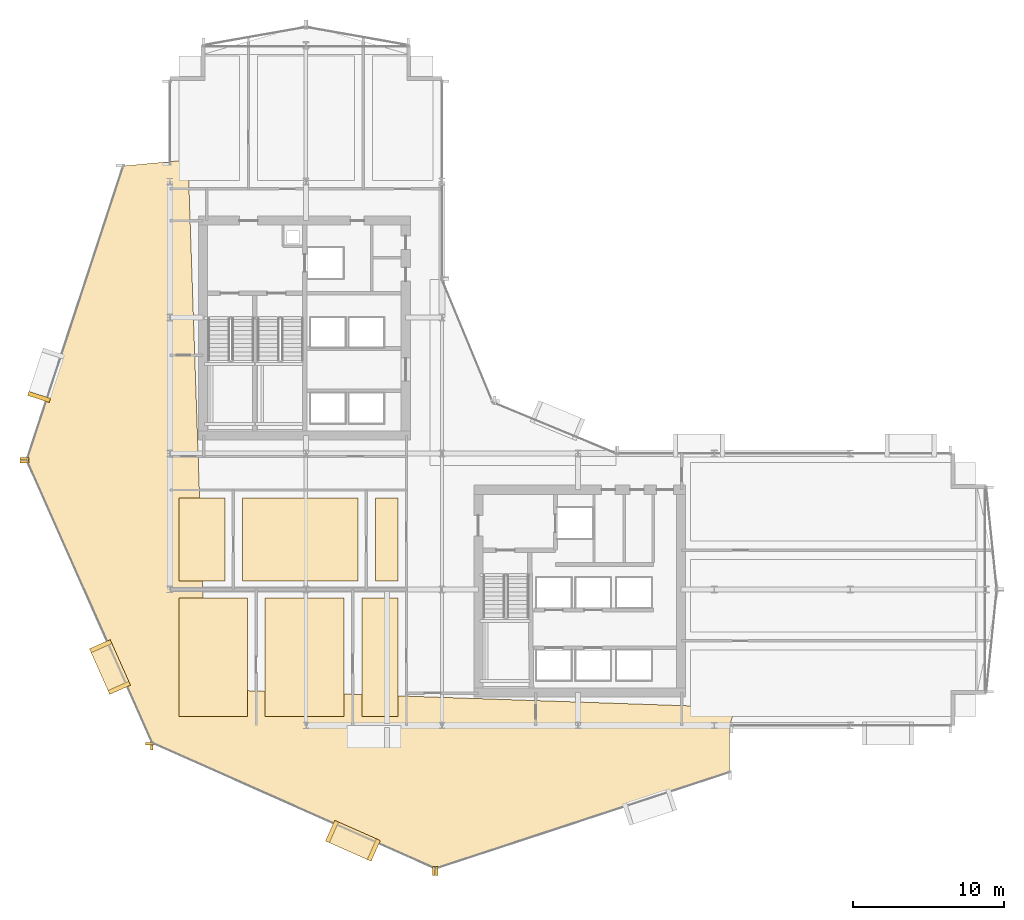
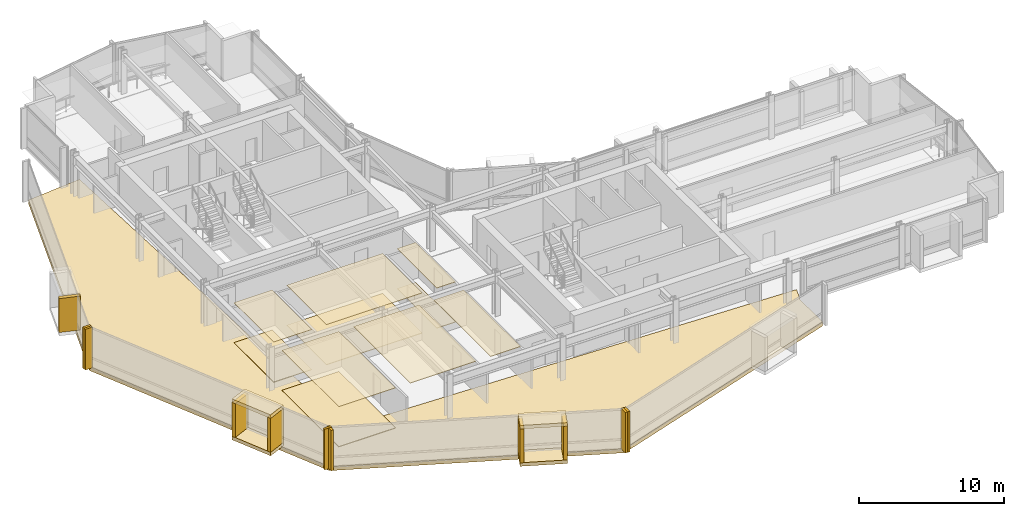
# One storey, part 30 of 34: 26 coverings.
"""IFC4 building model written with IfcOpenShell, lengths in metres."""

from ifc_helpers import new_model, si_unit, direction, frame, origin, origin_2d, place, context, subcontext, project, spatial, polyline, rectangle, outline, extrude, material, layer, layer_set, type_object, element, save


model = new_model("IFC4")

# Units and contexts
model_context = context("Model", 3, precision=1e-05, world=origin(), true_north=direction((0.0, 1.0)))
body_context = subcontext(model_context, "Body", "Model", "MODEL_VIEW")
ifc_project = project(units=[si_unit("LENGTHUNIT", "METRE"), si_unit("AREAUNIT", "SQUARE_METRE"), si_unit("VOLUMEUNIT", "CUBIC_METRE"), si_unit("PLANEANGLEUNIT", "RADIAN"), si_unit("MASSUNIT", "GRAM", prefix="KILO")], contexts=[model_context])

# Site, building, storey
site_placement = place(None, origin())
site = spatial("IfcSite", under=ifc_project, at=site_placement, CompositionType="ELEMENT")
building_placement = place(site_placement, origin())
building = spatial("IfcBuilding", under=site, at=building_placement, Name="Solvaryn Broadcast Tower", CompositionType="ELEMENT")
storey_placement = place(building_placement, frame((0.0, 0.0, 76.699951171875)))
storey = spatial("IfcBuildingStorey", under=building, at=storey_placement, Name="L18", CompositionType="ELEMENT", Elevation=76.699951171875)

# Coverings
ifc_material_1 = material(Name="Micro-Perforated Acoustic Gypsum Ceiling", Category="concrete")
ifc_layer_1 = layer(ifc_material_1, 0.0400390625)
ifc_layer_set_1 = layer_set([ifc_layer_1], Name="CV-CEIL-ACOUSTIC")
covering_type_1 = type_object("IfcCoveringType", Name="CV-CEIL-ACOUSTIC", PredefinedType="CEILING", material=ifc_layer_set_1)
covering_1_placement = place(storey_placement, frame((0.0, 0.0, 3.380126953125)))
element("IfcCovering", 1, at=covering_1_placement, inside=storey, type_object=covering_type_1, Name="L18 Room Acoustic Ceiling 1", PredefinedType="CEILING", context=body_context, shape_type="SweptSolid", body=[
    extrude(outline(polyline([(9.60009765625, 18.570068359375), (12.6298828125, 18.570068359375), (12.6298828125, 24.050048828125), (9.60009765625, 24.050048828125), (9.60009765625, 18.570068359375)])), origin(), (0.0, 0.0, 1.0), 0.0400390625),
])
covering_2_placement = place(storey_placement, frame((0.0, 0.0, 3.380126953125)))
element("IfcCovering", 2, at=covering_2_placement, inside=storey, type_object=covering_type_1, Name="L18 Room Acoustic Ceiling 2", PredefinedType="CEILING", context=body_context, shape_type="SweptSolid", body=[
    extrude(outline(polyline([(13.800048828125, 18.570068359375), (21.429931640625, 18.570068359375), (21.429931640625, 24.050048828125), (13.800048828125, 24.050048828125), (13.800048828125, 18.570068359375)])), origin(), (0.0, 0.0, 1.0), 0.0400390625),
])
covering_3_placement = place(storey_placement, frame((0.0, 0.0, 3.380126953125)))
element("IfcCovering", 3, at=covering_3_placement, inside=storey, type_object=covering_type_1, Name="L18 Room Acoustic Ceiling 3", PredefinedType="CEILING", context=body_context, shape_type="SweptSolid", body=[
    extrude(outline(polyline([(22.60009765625, 18.570068359375), (24.080078125, 18.570068359375), (24.080078125, 24.050048828125), (22.60009765625, 24.050048828125), (22.60009765625, 18.570068359375)])), origin(), (0.0, 0.0, 1.0), 0.0400390625),
])
covering_4_placement = place(storey_placement, frame((0.0, 0.0, 3.380126953125)))
element("IfcCovering", 4, at=covering_4_placement, inside=storey, type_object=covering_type_1, Name="L18 Room Acoustic Ceiling 4", PredefinedType="CEILING", context=body_context, shape_type="SweptSolid", body=[
    extrude(outline(polyline([(9.60009765625, 9.60009765625), (14.1298828125, 9.60009765625), (14.1298828125, 17.429931640625), (9.60009765625, 17.429931640625), (9.60009765625, 9.60009765625)])), origin(), (0.0, 0.0, 1.0), 0.0400390625),
])
covering_5_placement = place(storey_placement, frame((0.0, 0.0, 3.380126953125)))
element("IfcCovering", 5, at=covering_5_placement, inside=storey, type_object=covering_type_1, Name="L18 Room Acoustic Ceiling 5", PredefinedType="CEILING", context=body_context, shape_type="SweptSolid", body=[
    extrude(outline(polyline([(15.300048828125, 9.60009765625), (20.530029296875, 9.60009765625), (20.530029296875, 17.429931640625), (15.300048828125, 17.429931640625), (15.300048828125, 9.60009765625)])), origin(), (0.0, 0.0, 1.0), 0.0400390625),
])
covering_6_placement = place(storey_placement, frame((0.0, 0.0, 3.380126953125)))
element("IfcCovering", 6, at=covering_6_placement, inside=storey, type_object=covering_type_1, Name="L18 Room Acoustic Ceiling 6", PredefinedType="CEILING", context=body_context, shape_type="SweptSolid", body=[
    extrude(outline(polyline([(21.699951171875, 9.60009765625), (24.080078125, 9.60009765625), (24.080078125, 17.429931640625), (21.699951171875, 17.429931640625), (21.699951171875, 9.60009765625)])), origin(), (0.0, 0.0, 1.0), 0.0400390625),
])
ifc_material_2 = material(Name="Newsroom Raised Data Access Flooring", Category="steel")
ifc_layer_2 = layer(ifc_material_2, 0.050048828125)
ifc_layer_set_2 = layer_set([ifc_layer_2], Name="CV-FLOOR-RAISED")
covering_type_2 = type_object("IfcCoveringType", Name="CV-FLOOR-RAISED", PredefinedType="FLOORING", material=ifc_layer_set_2)
covering_7_placement = place(storey_placement, origin())
element("IfcCovering", 7, at=covering_7_placement, inside=storey, type_object=covering_type_2, Name="L18 Room Acoustic Floor Finish 1", PredefinedType="FLOORING", context=body_context, shape_type="SweptSolid", body=[
    extrude(outline(polyline([(9.60009765625, 18.570068359375), (12.6298828125, 18.570068359375), (12.6298828125, 24.050048828125), (9.60009765625, 24.050048828125), (9.60009765625, 18.570068359375)])), origin(), (0.0, 0.0, 1.0), 0.050048828125),
])
covering_8_placement = place(storey_placement, origin())
element("IfcCovering", 8, at=covering_8_placement, inside=storey, type_object=covering_type_2, Name="L18 Room Acoustic Floor Finish 2", PredefinedType="FLOORING", context=body_context, shape_type="SweptSolid", body=[
    extrude(outline(polyline([(13.800048828125, 18.570068359375), (21.429931640625, 18.570068359375), (21.429931640625, 24.050048828125), (13.800048828125, 24.050048828125), (13.800048828125, 18.570068359375)])), origin(), (0.0, 0.0, 1.0), 0.050048828125),
])
covering_9_placement = place(storey_placement, origin())
element("IfcCovering", 9, at=covering_9_placement, inside=storey, type_object=covering_type_2, Name="L18 Room Acoustic Floor Finish 3", PredefinedType="FLOORING", context=body_context, shape_type="SweptSolid", body=[
    extrude(outline(polyline([(22.60009765625, 18.570068359375), (24.080078125, 18.570068359375), (24.080078125, 24.050048828125), (22.60009765625, 24.050048828125), (22.60009765625, 18.570068359375)])), origin(), (0.0, 0.0, 1.0), 0.050048828125),
])
covering_10_placement = place(storey_placement, origin())
element("IfcCovering", 10, at=covering_10_placement, inside=storey, type_object=covering_type_2, Name="L18 Room Acoustic Floor Finish 4", PredefinedType="FLOORING", context=body_context, shape_type="SweptSolid", body=[
    extrude(outline(polyline([(9.60009765625, 9.60009765625), (14.1298828125, 9.60009765625), (14.1298828125, 17.429931640625), (9.60009765625, 17.429931640625), (9.60009765625, 9.60009765625)])), origin(), (0.0, 0.0, 1.0), 0.050048828125),
])
ifc_material_3 = material(Name="Glazed Architectural Terracotta Rainscreen Cladding", Category="masonry")
ifc_layer_3 = layer(ifc_material_3, 0.280029296875)
ifc_layer_set_3 = layer_set([ifc_layer_3], Name="CV-TC-CLAD")
covering_type_3 = type_object("IfcCoveringType", Name="CV-TC-CLAD", PredefinedType="CLADDING", material=ifc_layer_set_3)
covering_11_placement = place(storey_placement, frame((0.348388671875, 30.73828125, 0.27978515625), z_axis=(0.0, 0.0, 1.0), x_axis=(-0.311671636848, -0.950189870912, 0.0)))
element("IfcCovering", 11, at=covering_11_placement, inside=storey, type_object=covering_type_3, Name="L18 Projecting Stone Window Box Cheek 1-2", PredefinedType="CLADDING", context=body_context, shape_type="SweptSolid", body=[
    extrude(rectangle(XDim=0.280029296875, YDim=1.5, at=origin_2d()), origin(), (0.0, 0.0, 1.0), 2.860107421875),
])
for number, where, z_axis, x_axis, name in (
    (12, (5.035888671875, 12.8720703125, 3.1298828125), (0.0, 0.0, 1.0), (0.405939269498, -0.913900054426, 0.0), "L18 Projecting Stone Window Box Hood 2"),
    (13, (5.035888671875, 12.8720703125, -0.009765625), (0.0, 0.0, 1.0), (0.405939269498, -0.913900054426, 0.0), "L18 Projecting Stone Window Box Sill 2"),
):
    element("IfcCovering", number, at=place(storey_placement, frame(where, z_axis=z_axis, x_axis=x_axis)), inside=storey, type_object=covering_type_3, Name=name, PredefinedType="CLADDING", context=body_context, shape_type="SweptSolid", body=[
        extrude(rectangle(XDim=3.300048828125, YDim=1.5, at=origin_2d()), origin(), (0.0, 0.0, 1.0), 0.300048828125),
    ])
for number, where, z_axis, x_axis, name in (
    (14, (4.423095703125, 14.251953125, 0.27978515625), (0.0, 0.0, 1.0), (0.405939269498, -0.913900054426, 0.0), "L18 Projecting Stone Window Box Cheek 2-1"),
    (15, (5.64892578125, 11.491943359375, 0.27978515625), (0.0, 0.0, 1.0), (0.405939269498, -0.913900054426, 0.0), "L18 Projecting Stone Window Box Cheek 2-2"),
):
    element("IfcCovering", number, at=place(storey_placement, frame(where, z_axis=z_axis, x_axis=x_axis)), inside=storey, type_object=covering_type_3, Name=name, PredefinedType="CLADDING", context=body_context, shape_type="SweptSolid", body=[
        extrude(rectangle(XDim=0.280029296875, YDim=1.5, at=origin_2d()), origin(), (0.0, 0.0, 1.0), 2.860107421875),
    ])
for number, where, z_axis, x_axis, name in (
    (16, (21.10498046875, 1.37890625, 3.1298828125), (0.0, 0.0, 1.0), (0.913900054426, -0.405939269498, 0.0), "L18 Projecting Stone Window Box Hood 3"),
    (17, (21.10498046875, 1.37890625, -0.009765625), (0.0, 0.0, 1.0), (0.913900054426, -0.405939269498, 0.0), "L18 Projecting Stone Window Box Sill 3"),
):
    element("IfcCovering", number, at=place(storey_placement, frame(where, z_axis=z_axis, x_axis=x_axis)), inside=storey, type_object=covering_type_3, Name=name, PredefinedType="CLADDING", context=body_context, shape_type="SweptSolid", body=[
        extrude(rectangle(XDim=3.300048828125, YDim=1.5, at=origin_2d()), origin(), (0.0, 0.0, 1.0), 0.300048828125),
    ])
for number, where, z_axis, x_axis, name in (
    (18, (19.72509765625, 1.991943359375, 0.27978515625), (0.0, 0.0, 1.0), (0.913900054426, -0.405939269498, 0.0), "L18 Projecting Stone Window Box Cheek 3-1"),
    (19, (22.485107421875, 0.76611328125, 0.27978515625), (0.0, 0.0, 1.0), (0.913900054426, -0.405939269498, 0.0), "L18 Projecting Stone Window Box Cheek 3-2"),
):
    element("IfcCovering", number, at=place(storey_placement, frame(where, z_axis=z_axis, x_axis=x_axis)), inside=storey, type_object=covering_type_3, Name=name, PredefinedType="CLADDING", context=body_context, shape_type="SweptSolid", body=[
        extrude(rectangle(XDim=0.280029296875, YDim=1.5, at=origin_2d()), origin(), (0.0, 0.0, 1.0), 2.860107421875),
    ])
ifc_material_4 = material(Name="Extruded Architectural Terracotta Fin", Category="masonry")
ifc_layer_4 = layer(ifc_material_4, 0.179931640625)
ifc_layer_set_4 = layer_set([ifc_layer_4], Name="CV-TC-FIN")
covering_type_4 = type_object("IfcCoveringType", Name="CV-TC-FIN", PredefinedType="USERDEFINED", material=ifc_layer_set_4)
for number, where, z_axis, x_axis, name in (
    (20, (-0.625732421875, 26.644775390625, 0.0), (0.0, 0.0, 1.0), (1.0, 0.0, 0.0), "L18 Terracotta Vertical Fin FIN-L18-DR1-M01"),
    (21, (-0.6162109375, 26.459716796875, 0.0), (0.0, 0.0, 1.0), (1.0, 0.0, 0.0), "L18 Terracotta Vertical Fin FIN-L18-DR2-M00"),
    (22, (7.670654296875, 7.8017578125, 0.0), (0.0, 0.0, 1.0), (1.0, 0.0, 0.0), "L18 Terracotta Vertical Fin FIN-L18-DR2-M01"),
):
    element("IfcCovering", number, at=place(storey_placement, frame(where, z_axis=z_axis, x_axis=x_axis)), inside=storey, type_object=covering_type_4, Name=name, ObjectType="FIN", PredefinedType="USERDEFINED", context=body_context, shape_type="SweptSolid", body=[
        extrude(rectangle(XDim=0.580078125, YDim=0.179931640625, at=origin_2d()), origin(), (0.0, 0.0, 1.0), 3.419921875),
    ])
for number, where, z_axis, x_axis, name in (
    (23, (7.8017578125, 7.670654296875, 0.0), (0.0, 0.0, 1.0), (1.0, 0.0, 0.0), "L18 Terracotta Vertical Fin FIN-L18-DR3-M00"),
    (24, (26.459716796875, -0.6162109375, 0.0), (0.0, 0.0, 1.0), (1.0, 0.0, 0.0), "L18 Terracotta Vertical Fin FIN-L18-DR3-M01"),
    (25, (26.644775390625, -0.625732421875, 0.0), (0.0, 0.0, 1.0), (1.0, 0.0, 0.0), "L18 Terracotta Vertical Fin FIN-L18-DR4-M00"),
):
    element("IfcCovering", number, at=place(storey_placement, frame(where, z_axis=z_axis, x_axis=x_axis)), inside=storey, type_object=covering_type_4, Name=name, ObjectType="FIN", PredefinedType="USERDEFINED", context=body_context, shape_type="SweptSolid", body=[
        extrude(rectangle(XDim=0.179931640625, YDim=0.580078125, at=origin_2d()), origin(), (0.0, 0.0, 1.0), 3.419921875),
    ])
ifc_material_5 = material(Name="Sculpted Architectural Terracotta Wave Fascia", Category="masonry")
ifc_layer_5 = layer(ifc_material_5, 0.340087890625)
ifc_layer_set_5 = layer_set([ifc_layer_5], Name="CV-WAVE-TRAY")
covering_type_5 = type_object("IfcCoveringType", Name="CV-WAVE-TRAY", PredefinedType="CLADDING", material=ifc_layer_set_5)
covering_12_placement = place(storey_placement, frame((0.0, 0.0, -0.300048828125)))
element("IfcCovering", 26, at=covering_12_placement, inside=storey, type_object=covering_type_5, Name="L18 Stepped Cylindrical Drum Floor Apron", PredefinedType="CLADDING", context=body_context, shape_type="SweptSolid", body=[
    extrude(outline(polyline([(10.199951171875, 46.416015625), (5.916015625, 46.01611328125), (-0.464111328125, 26.56005859375), (7.846923828125, 7.846923828125), (26.56005859375, -0.464111328125), (46.01611328125, 5.916015625), (46.01611328125, 9.0), (46.416015625, 10.199951171875), (11.39990234375, 11.39990234375), (10.199951171875, 46.416015625)])), origin(), (0.0, 0.0, 1.0), 0.330078125),
])

save(model, "model.ifc")
